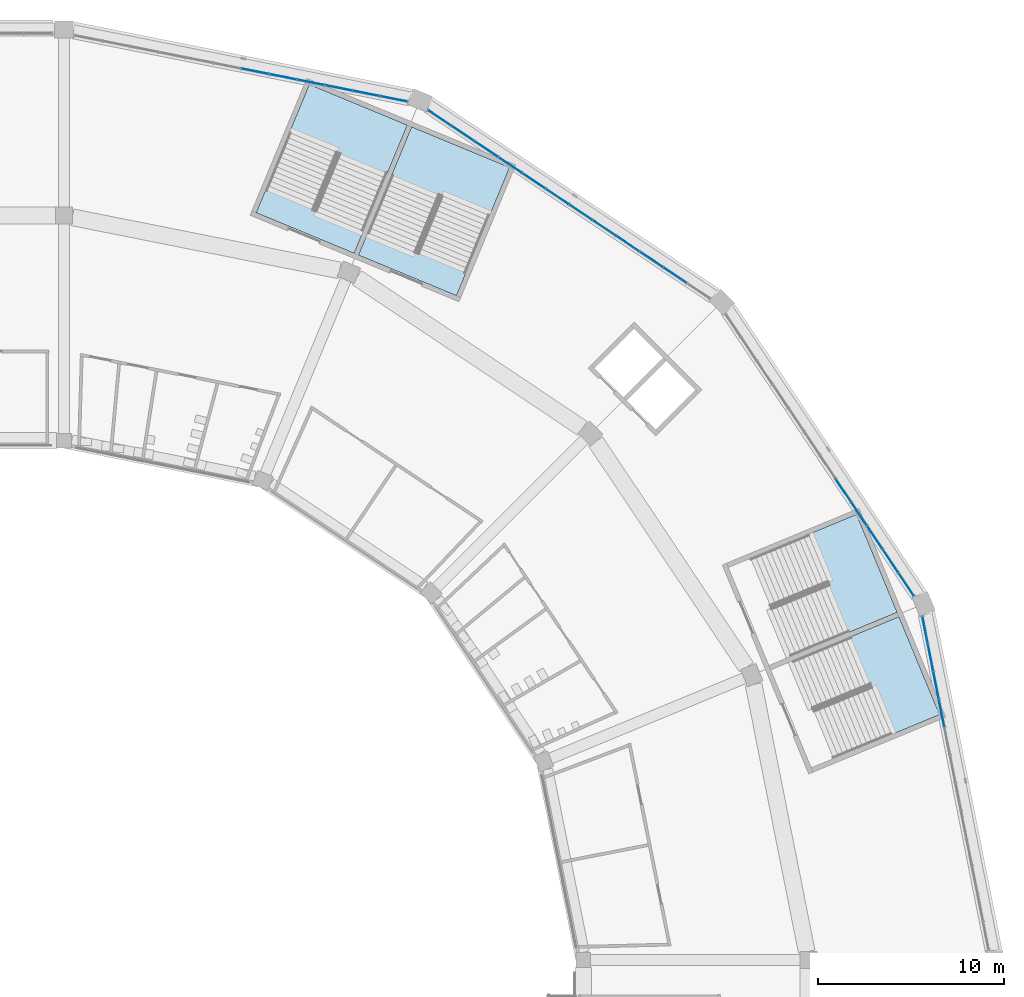
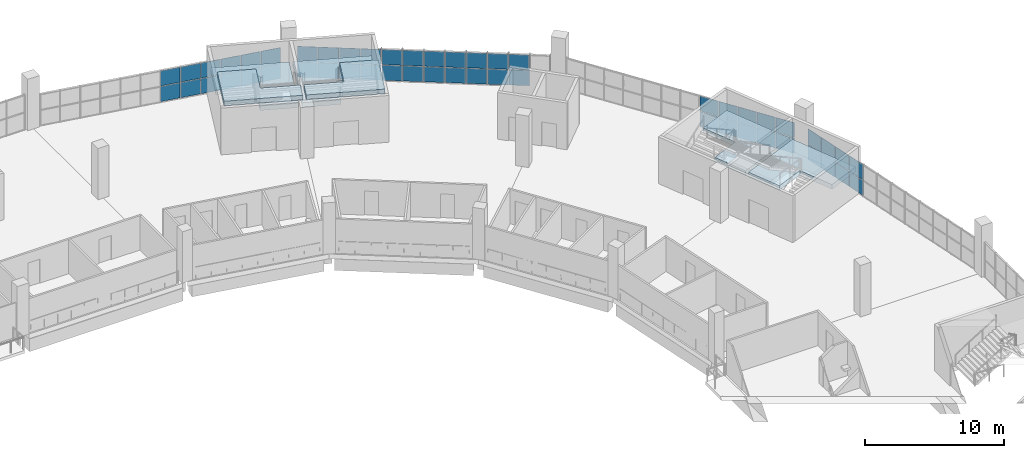
# One storey, part 72 of 199: 52 plates, 6 slabs, 8 elements without a shape of their own.
"""IFC4 building model written with IfcOpenShell, lengths in metres."""

import ifcopenshell
import ifcopenshell.guid

model = None  # the IFC model being written
_history = None  # IfcOwnerHistory: only IFC2X3 demands one
_inside = {}  # id of a spatial element -> (the spatial element, [elements in it])
_under = {}  # id of a project, library or spatial element -> (it, [spatial elements below it])
_declared = {}  # id of a project -> (the project, [libraries it declares])
_typed = {}  # id of a type object -> (the type object, [elements of that type])
_made_of = {}  # id of a material, layer set ... -> (it, [elements and type objects made of it])


def new_model(schema):
    """Start an empty IFC model of exactly this schema.

    Asked for "IFC4X3", IfcOpenShell would pick the latest addendum, in which some entities
    have other attributes; the version numbers below select the first issue.
    IFC2X3 requires an IfcOwnerHistory on every rooted entity: one is made here for all.
    """
    global model, _history
    if schema == "IFC4X3":
        model = ifcopenshell.file(schema_version=(4, 3, 0, 0))
    else:
        model = ifcopenshell.file(schema=schema)
    _inside.clear()
    _under.clear()
    _declared.clear()
    _typed.clear()
    _made_of.clear()
    _history = None
    if model.schema == "IFC2X3":
        org = make("IfcOrganization", Name="unknown")
        user = make(
            "IfcPersonAndOrganization",
            ThePerson=make("IfcPerson", FamilyName="unknown"),
            TheOrganization=org,
        )
        app = make(
            "IfcApplication",
            ApplicationDeveloper=org,
            Version="unknown",
            ApplicationFullName="unknown",
            ApplicationIdentifier="unknown",
        )
        _history = make(
            "IfcOwnerHistory",
            OwningUser=user,
            OwningApplication=app,
            ChangeAction="ADDED",
            CreationDate=0,
        )
    return model


def make(cls, **values):
    """One entity of the class cls with the attributes given. An attribute that is None is left unset."""
    return model.create_entity(
        cls, **{name: value for name, value in values.items() if value is not None}
    )


def rooted(cls, **values):
    """An entity with a GlobalId (a new one), such as an element, a storey or a relation."""
    return make(cls, GlobalId=ifcopenshell.guid.new(), OwnerHistory=_history, **values)


def si_unit(unit_type, name, prefix=None):
    """IfcSIUnit, for example si_unit("LENGTHUNIT", "METRE", prefix="MILLI")."""
    return make("IfcSIUnit", UnitType=unit_type, Prefix=prefix, Name=name)


def assignment(units):
    """IfcUnitAssignment: the units of a project."""
    return None if units is None else make("IfcUnitAssignment", Units=units)


def point(xyz):
    """IfcCartesianPoint."""
    return None if xyz is None else make("IfcCartesianPoint", Coordinates=xyz)


def direction(xyz):
    """IfcDirection."""
    return None if xyz is None else make("IfcDirection", DirectionRatios=xyz)


def frame(location, z_axis=None, x_axis=None):
    """IfcAxis2Placement3D, a coordinate frame: its origin and axes. An axis left out is left unset."""
    return make(
        "IfcAxis2Placement3D",
        Location=point(location),
        Axis=direction(z_axis),
        RefDirection=direction(x_axis),
    )


def frame_2d(location, x_axis=None):
    """IfcAxis2Placement2D, a coordinate frame in the plane: its origin and x axis."""
    return make(
        "IfcAxis2Placement2D", Location=point(location), RefDirection=direction(x_axis)
    )


def origin():
    """The frame at (0, 0, 0) with its axes left unset."""
    return frame((0.0, 0.0, 0.0))


def origin_2d():
    """The frame at (0, 0) in the plane with its x axis left unset."""
    return frame_2d((0.0, 0.0))


def place(relative_to, where):
    """IfcLocalPlacement: puts the frame where relative to a parent placement (None: the world)."""
    return make(
        "IfcLocalPlacement", PlacementRelTo=relative_to, RelativePlacement=where
    )


def context(
    kind, dimensions, precision=None, world=None, true_north=None, identifier=None
):
    """IfcGeometricRepresentationContext, for example the 3D "Model" context."""
    return make(
        "IfcGeometricRepresentationContext",
        ContextIdentifier=identifier,
        ContextType=kind,
        CoordinateSpaceDimension=dimensions,
        Precision=precision,
        WorldCoordinateSystem=world,
        TrueNorth=true_north,
    )


def subcontext(parent, identifier, kind, view, scale=None):
    """IfcGeometricRepresentationSubContext, for example "Body" below "Model"."""
    return make(
        "IfcGeometricRepresentationSubContext",
        ContextIdentifier=identifier,
        ContextType=kind,
        ParentContext=parent,
        TargetScale=scale,
        TargetView=view,
    )


def project(units=None, contexts=None):
    """IfcProject with its units and contexts."""
    return rooted(
        "IfcProject",
        Name="project",
        RepresentationContexts=contexts,
        UnitsInContext=assignment(units),
    )


def spatial(cls, under=None, at=None, **own):
    """A site, building, storey or space (cls), placed at a placement, below another one or the project."""
    s = rooted(cls, ObjectPlacement=at, **own)
    if under is not None:
        _under.setdefault(under.id(), (under, []))[1].append(s)
    return s


def polyline(points):
    """IfcPolyline through the points."""
    return make("IfcPolyline", Points=[point(p) for p in points])


def profile(cls, at=None, kind="AREA", **sizes):
    """A parametric profile (cls). Its sizes go by their IFC names, for example OverallWidth=200.0."""
    return make(cls, ProfileType=kind, Position=at, **sizes)


def rectangle(**sizes):
    """IfcRectangleProfileDef."""
    return profile("IfcRectangleProfileDef", **sizes)


def outline(outer, holes=None, kind="AREA"):
    """IfcArbitraryClosedProfileDef: a profile drawn as a closed curve; with holes, ...WithVoids."""
    if holes is None:
        return make("IfcArbitraryClosedProfileDef", ProfileType=kind, OuterCurve=outer)
    return make(
        "IfcArbitraryProfileDefWithVoids",
        ProfileType=kind,
        OuterCurve=outer,
        InnerCurves=holes,
    )


def extrude(swept, where, along, depth):
    """IfcExtrudedAreaSolid: the profile swept, set in the frame where, extruded along a direction by depth."""
    return make(
        "IfcExtrudedAreaSolid",
        SweptArea=swept,
        Position=where,
        ExtrudedDirection=direction(along),
        Depth=depth,
    )


def shape(context_of_items, identifier, shape_type, items):
    """IfcShapeRepresentation: the items that make up one representation, for example the "Body"."""
    return make(
        "IfcShapeRepresentation",
        ContextOfItems=context_of_items,
        RepresentationIdentifier=identifier,
        RepresentationType=shape_type,
        Items=items,
    )


def material(Name=None, Category=None):
    """IfcMaterial."""
    return make("IfcMaterial", Name=Name, Category=Category)


def layer(
    of_material, thickness, ventilated=None, Name=None, Category=None, Priority=None
):
    """IfcMaterialLayer: one layer of a wall or slab, of a material (None: an air gap)."""
    return make(
        "IfcMaterialLayer",
        Material=of_material,
        LayerThickness=thickness,
        IsVentilated=ventilated,
        Name=Name,
        Category=Category,
        Priority=Priority,
    )


def layer_set(layers, Name=None):
    """IfcMaterialLayerSet."""
    return make("IfcMaterialLayerSet", MaterialLayers=layers, LayerSetName=Name)


def made_of(thing, what):
    """Note that an element or type object is made of a material, layer set ...; save() writes the relation."""
    if what is not None:
        _made_of.setdefault(what.id(), (what, []))[1].append(thing)
    return thing


def type_object(cls, material=None, **own):
    """A type object (cls), such as IfcWallType, which elements share."""
    return made_of(rooted(cls, **own), material)


def element(
    cls,
    number,
    at=None,
    inside=None,
    cuts=None,
    type_object=None,
    material=None,
    context=None,
    identifier="Body",
    shape_type=None,
    held_by="IfcProductDefinitionShape",
    body=None,
    shapes=None,
    **own,
):
    """One element of the class cls, such as IfcWall. Its Tag is "e" and its number.

    at: its placement. inside: the storey or other place that contains it. cuts: it is an
    opening in that element (IfcRelVoidsElement). A single representation is given by context,
    identifier, shape_type and body (its items); several are given by shapes. held_by: the class
    of the entity that holds the representations. save() writes the other relations.
    """
    e = rooted(cls, Tag="e%d" % number, ObjectPlacement=at, **own)
    if body is not None:
        shapes = [shape(context, identifier, shape_type, body)]
    if shapes is not None:
        e.Representation = make(held_by, Representations=shapes)
    if inside is not None:
        _inside.setdefault(inside.id(), (inside, []))[1].append(e)
    if cuts is not None:
        rooted(
            "IfcRelVoidsElement", RelatingBuildingElement=cuts, RelatedOpeningElement=e
        )
    if type_object is not None:
        _typed.setdefault(type_object.id(), (type_object, []))[1].append(e)
    return made_of(e, material)


def aggregate(whole, parts):
    """IfcRelAggregates: a whole, such as a stair, and the parts it consists of."""
    return rooted("IfcRelAggregates", RelatingObject=whole, RelatedObjects=parts)


def save(model, path):
    """Write the relations noted so far, then the file.

    IfcRelAggregates (storeys below a building ...), IfcRelContainedInSpatialStructure (elements
    in a storey), IfcRelDefinesByType, IfcRelAssociatesMaterial and IfcRelDeclares: one each for
    every whole, place, type object, material and project.
    """
    for whole, parts in _under.values():
        aggregate(whole, parts)
    for where, things in _inside.values():
        rooted(
            "IfcRelContainedInSpatialStructure",
            RelatedElements=things,
            RelatingStructure=where,
        )
    for kind, things in _typed.values():
        rooted("IfcRelDefinesByType", RelatedObjects=things, RelatingType=kind)
    for what, things in _made_of.values():
        rooted("IfcRelAssociatesMaterial", RelatedObjects=things, RelatingMaterial=what)
    for by, libraries in _declared.values():
        rooted("IfcRelDeclares", RelatingContext=by, RelatedDefinitions=libraries)
    model.write(path)


model = new_model("IFC4")

# Units and contexts
model_context = context("Model", 3, precision=1e-05, world=origin(), true_north=direction((0.0, 1.0)))
body_context = subcontext(model_context, "Body", "Model", "MODEL_VIEW")
ifc_project = project(units=[si_unit("LENGTHUNIT", "METRE"), si_unit("AREAUNIT", "SQUARE_METRE"), si_unit("VOLUMEUNIT", "CUBIC_METRE"), si_unit("PLANEANGLEUNIT", "RADIAN"), si_unit("MASSUNIT", "GRAM", prefix="KILO")], contexts=[model_context])

# Site, building, storey
site_placement = place(None, origin())
site = spatial("IfcSite", under=ifc_project, at=site_placement, CompositionType="ELEMENT")
building_placement = place(site_placement, origin())
building = spatial("IfcBuilding", under=site, at=building_placement, Name="Ogive Plaza Stadium", CompositionType="ELEMENT")
storey_placement = place(building_placement, frame((0.0, 0.0, 9.0)))
storey = spatial("IfcBuildingStorey", under=building, at=storey_placement, Name="L02", CompositionType="ELEMENT", Elevation=9.0)

# Curtain wall, plates
ifc_material_1 = material(Name="Bronze-anodised aluminium with laminated glass", Category="aluminium")
curtain_wall_type = type_object("IfcCurtainWallType", Name="Lancet curtain wall", PredefinedType="NOTDEFINED", material=ifc_material_1)
curtain_wall_1_placement = place(storey_placement, origin())
curtain_wall_1 = element("IfcCurtainWall", 1, at=curtain_wall_1_placement, inside=storey, type_object=curtain_wall_type, Name="CURTAIN WALL B37 L02", PredefinedType="NOTDEFINED")
ifc_material_2 = material(Name="Laminated glass", Category="glass")
ifc_layer_1 = layer(ifc_material_2, 0.028076171875)
ifc_layer_set_1 = layer_set([ifc_layer_1], Name="Laminated glass panel 28")
plate_type = type_object("IfcPlateType", Name="Laminated glass panel 28", PredefinedType="CURTAIN_PANEL", material=ifc_layer_set_1)
plate_1_placement = place(storey_placement, frame((44.274658203125, 100.25244140625, 0.0498046875), z_axis=(0.0, 0.0, 1.0), x_axis=(0.9807852804, -0.195090322033, 0.0)))
plate_1 = element("IfcPlate", 2, at=plate_1_placement, type_object=plate_type, Name="CW-B37-L02 panel 7.1", PredefinedType="CURTAIN_PANEL", context=body_context, shape_type="SweptSolid", body=[
    extrude(rectangle(XDim=1.472412109375, YDim=0.028076171875, at=origin_2d()), origin(), (0.0, 0.0, 1.0), 1.320068359375),
])
plate_2_placement = place(storey_placement, frame((44.274658203125, 100.25244140625, 1.419921875), z_axis=(0.0, 0.0, 1.0), x_axis=(0.9807852804, -0.195090322033, 0.0)))
plate_2 = element("IfcPlate", 3, at=plate_2_placement, type_object=plate_type, Name="CW-B37-L02 panel 7.2", PredefinedType="CURTAIN_PANEL", context=body_context, shape_type="SweptSolid", body=[
    extrude(rectangle(XDim=1.472412109375, YDim=0.028076171875, at=origin_2d()), origin(), (0.0, 0.0, 1.0), 1.320068359375),
])
plate_3_placement = place(storey_placement, frame((45.767822265625, 99.955322265625, 0.0498046875), z_axis=(0.0, 0.0, 1.0), x_axis=(0.9807852804, -0.195090322033, 0.0)))
plate_3 = element("IfcPlate", 4, at=plate_3_placement, type_object=plate_type, Name="CW-B37-L02 panel 8.1", PredefinedType="CURTAIN_PANEL", context=body_context, shape_type="SweptSolid", body=[
    extrude(rectangle(XDim=1.472412109375, YDim=0.028076171875, at=origin_2d()), origin(), (0.0, 0.0, 1.0), 1.320068359375),
])
plate_4_placement = place(storey_placement, frame((45.767822265625, 99.955322265625, 1.419921875), z_axis=(0.0, 0.0, 1.0), x_axis=(0.9807852804, -0.195090322033, 0.0)))
plate_4 = element("IfcPlate", 5, at=plate_4_placement, type_object=plate_type, Name="CW-B37-L02 panel 8.2", PredefinedType="CURTAIN_PANEL", context=body_context, shape_type="SweptSolid", body=[
    extrude(rectangle(XDim=1.472412109375, YDim=0.028076171875, at=origin_2d()), origin(), (0.0, 0.0, 1.0), 1.320068359375),
])
plate_5_placement = place(storey_placement, frame((47.2607421875, 99.658447265625, 0.0498046875), z_axis=(0.0, 0.0, 1.0), x_axis=(0.9807852804, -0.195090322033, 0.0)))
plate_5 = element("IfcPlate", 6, at=plate_5_placement, type_object=plate_type, Name="CW-B37-L02 panel 9.1", PredefinedType="CURTAIN_PANEL", context=body_context, shape_type="SweptSolid", body=[
    extrude(rectangle(XDim=1.472412109375, YDim=0.028076171875, at=origin_2d()), origin(), (0.0, 0.0, 1.0), 1.320068359375),
])
plate_6_placement = place(storey_placement, frame((47.2607421875, 99.658447265625, 1.419921875), z_axis=(0.0, 0.0, 1.0), x_axis=(0.9807852804, -0.195090322033, 0.0)))
plate_6 = element("IfcPlate", 7, at=plate_6_placement, type_object=plate_type, Name="CW-B37-L02 panel 9.2", PredefinedType="CURTAIN_PANEL", context=body_context, shape_type="SweptSolid", body=[
    extrude(rectangle(XDim=1.472412109375, YDim=0.028076171875, at=origin_2d()), origin(), (0.0, 0.0, 1.0), 1.320068359375),
])
plate_7_placement = place(storey_placement, frame((48.75390625, 99.361328125, 0.0498046875), z_axis=(0.0, 0.0, 1.0), x_axis=(0.9807852804, -0.195090322033, 0.0)))
plate_7 = element("IfcPlate", 8, at=plate_7_placement, type_object=plate_type, Name="CW-B37-L02 panel 10.1", PredefinedType="CURTAIN_PANEL", context=body_context, shape_type="SweptSolid", body=[
    extrude(rectangle(XDim=1.472412109375, YDim=0.028076171875, at=origin_2d()), origin(), (0.0, 0.0, 1.0), 1.320068359375),
])
plate_8_placement = place(storey_placement, frame((48.75390625, 99.361328125, 1.419921875), z_axis=(0.0, 0.0, 1.0), x_axis=(0.9807852804, -0.195090322033, 0.0)))
plate_8 = element("IfcPlate", 9, at=plate_8_placement, type_object=plate_type, Name="CW-B37-L02 panel 10.2", PredefinedType="CURTAIN_PANEL", context=body_context, shape_type="SweptSolid", body=[
    extrude(rectangle(XDim=1.472412109375, YDim=0.028076171875, at=origin_2d()), origin(), (0.0, 0.0, 1.0), 1.320068359375),
])
plate_9_placement = place(storey_placement, frame((50.2470703125, 99.064453125, 0.0498046875), z_axis=(0.0, 0.0, 1.0), x_axis=(0.9807852804, -0.195090322033, 0.0)))
plate_9 = element("IfcPlate", 10, at=plate_9_placement, type_object=plate_type, Name="CW-B37-L02 panel 11.1", PredefinedType="CURTAIN_PANEL", context=body_context, shape_type="SweptSolid", body=[
    extrude(rectangle(XDim=1.472412109375, YDim=0.028076171875, at=origin_2d()), origin(), (0.0, 0.0, 1.0), 1.320068359375),
])
plate_10_placement = place(storey_placement, frame((50.2470703125, 99.064453125, 1.419921875), z_axis=(0.0, 0.0, 1.0), x_axis=(0.9807852804, -0.195090322033, 0.0)))
plate_10 = element("IfcPlate", 11, at=plate_10_placement, type_object=plate_type, Name="CW-B37-L02 panel 11.2", PredefinedType="CURTAIN_PANEL", context=body_context, shape_type="SweptSolid", body=[
    extrude(rectangle(XDim=1.472412109375, YDim=0.028076171875, at=origin_2d()), origin(), (0.0, 0.0, 1.0), 1.320068359375),
])
plate_11_placement = place(storey_placement, frame((51.727783203125, 98.769775390625, 0.0498046875), z_axis=(0.0, 0.0, 1.0), x_axis=(0.9807852804, -0.195090322033, 0.0)))
plate_11 = element("IfcPlate", 12, at=plate_11_placement, type_object=plate_type, Name="CW-B37-L02 panel 12.1", PredefinedType="CURTAIN_PANEL", context=body_context, shape_type="SweptSolid", body=[
    extrude(rectangle(XDim=1.447265625, YDim=0.028076171875, at=origin_2d()), origin(), (0.0, 0.0, 1.0), 1.320068359375),
])
plate_12_placement = place(storey_placement, frame((51.727783203125, 98.769775390625, 1.419921875), z_axis=(0.0, 0.0, 1.0), x_axis=(0.9807852804, -0.195090322033, 0.0)))
plate_12 = element("IfcPlate", 13, at=plate_12_placement, type_object=plate_type, Name="CW-B37-L02 panel 12.2", PredefinedType="CURTAIN_PANEL", context=body_context, shape_type="SweptSolid", body=[
    extrude(rectangle(XDim=1.447265625, YDim=0.028076171875, at=origin_2d()), origin(), (0.0, 0.0, 1.0), 1.320068359375),
])
aggregate(curtain_wall_1, [plate_1, plate_2, plate_3, plate_4, plate_5, plate_6, plate_7, plate_8, plate_9, plate_10, plate_11, plate_12])

curtain_wall_2_placement = place(storey_placement, origin())
curtain_wall_2 = element("IfcCurtainWall", 14, at=curtain_wall_2_placement, inside=storey, type_object=curtain_wall_type, Name="CURTAIN WALL B38 L02", PredefinedType="NOTDEFINED")
plate_13_placement = place(storey_placement, frame((54.18212890625, 97.753173828125, 0.0498046875), z_axis=(0.0, 0.0, 1.0), x_axis=(0.831469612303, -0.55557023302, 0.0)))
plate_13 = element("IfcPlate", 15, at=plate_13_placement, type_object=plate_type, Name="CW-B38-L02 panel 1.1", PredefinedType="CURTAIN_PANEL", context=body_context, shape_type="SweptSolid", body=[
    extrude(rectangle(XDim=1.447265625, YDim=0.028076171875, at=origin_2d()), origin(), (0.0, 0.0, 1.0), 1.320068359375),
])
plate_14_placement = place(storey_placement, frame((54.18212890625, 97.753173828125, 1.419921875), z_axis=(0.0, 0.0, 1.0), x_axis=(0.831469612303, -0.55557023302, 0.0)))
plate_14 = element("IfcPlate", 16, at=plate_14_placement, type_object=plate_type, Name="CW-B38-L02 panel 1.2", PredefinedType="CURTAIN_PANEL", context=body_context, shape_type="SweptSolid", body=[
    extrude(rectangle(XDim=1.447265625, YDim=0.028076171875, at=origin_2d()), origin(), (0.0, 0.0, 1.0), 1.320068359375),
])
plate_15_placement = place(storey_placement, frame((55.4375, 96.914306640625, 0.0498046875), z_axis=(0.0, 0.0, 1.0), x_axis=(0.831469612303, -0.55557023302, 0.0)))
plate_15 = element("IfcPlate", 17, at=plate_15_placement, type_object=plate_type, Name="CW-B38-L02 panel 2.1", PredefinedType="CURTAIN_PANEL", context=body_context, shape_type="SweptSolid", body=[
    extrude(rectangle(XDim=1.472412109375, YDim=0.028076171875, at=origin_2d()), origin(), (0.0, 0.0, 1.0), 1.320068359375),
])
plate_16_placement = place(storey_placement, frame((55.4375, 96.914306640625, 1.419921875), z_axis=(0.0, 0.0, 1.0), x_axis=(0.831469612303, -0.55557023302, 0.0)))
plate_16 = element("IfcPlate", 18, at=plate_16_placement, type_object=plate_type, Name="CW-B38-L02 panel 2.2", PredefinedType="CURTAIN_PANEL", context=body_context, shape_type="SweptSolid", body=[
    extrude(rectangle(XDim=1.472412109375, YDim=0.028076171875, at=origin_2d()), origin(), (0.0, 0.0, 1.0), 1.320068359375),
])
plate_17_placement = place(storey_placement, frame((56.703369140625, 96.068603515625, 0.0498046875), z_axis=(0.0, 0.0, 1.0), x_axis=(0.831469612303, -0.55557023302, 0.0)))
plate_17 = element("IfcPlate", 19, at=plate_17_placement, type_object=plate_type, Name="CW-B38-L02 panel 3.1", PredefinedType="CURTAIN_PANEL", context=body_context, shape_type="SweptSolid", body=[
    extrude(rectangle(XDim=1.472412109375, YDim=0.028076171875, at=origin_2d()), origin(), (0.0, 0.0, 1.0), 1.320068359375),
])
plate_18_placement = place(storey_placement, frame((56.703369140625, 96.068603515625, 1.419921875), z_axis=(0.0, 0.0, 1.0), x_axis=(0.831469612303, -0.55557023302, 0.0)))
plate_18 = element("IfcPlate", 20, at=plate_18_placement, type_object=plate_type, Name="CW-B38-L02 panel 3.2", PredefinedType="CURTAIN_PANEL", context=body_context, shape_type="SweptSolid", body=[
    extrude(rectangle(XDim=1.472412109375, YDim=0.028076171875, at=origin_2d()), origin(), (0.0, 0.0, 1.0), 1.320068359375),
])
plate_19_placement = place(storey_placement, frame((57.96923828125, 95.222900390625, 0.0498046875), z_axis=(0.0, 0.0, 1.0), x_axis=(0.831469612303, -0.55557023302, 0.0)))
plate_19 = element("IfcPlate", 21, at=plate_19_placement, type_object=plate_type, Name="CW-B38-L02 panel 4.1", PredefinedType="CURTAIN_PANEL", context=body_context, shape_type="SweptSolid", body=[
    extrude(rectangle(XDim=1.472412109375, YDim=0.028076171875, at=origin_2d()), origin(), (0.0, 0.0, 1.0), 1.320068359375),
])
plate_20_placement = place(storey_placement, frame((57.96923828125, 95.222900390625, 1.419921875), z_axis=(0.0, 0.0, 1.0), x_axis=(0.831469612303, -0.55557023302, 0.0)))
plate_20 = element("IfcPlate", 22, at=plate_20_placement, type_object=plate_type, Name="CW-B38-L02 panel 4.2", PredefinedType="CURTAIN_PANEL", context=body_context, shape_type="SweptSolid", body=[
    extrude(rectangle(XDim=1.472412109375, YDim=0.028076171875, at=origin_2d()), origin(), (0.0, 0.0, 1.0), 1.320068359375),
])
plate_21_placement = place(storey_placement, frame((59.23486328125, 94.376953125, 0.0498046875), z_axis=(0.0, 0.0, 1.0), x_axis=(0.831469612303, -0.55557023302, 0.0)))
plate_21 = element("IfcPlate", 23, at=plate_21_placement, type_object=plate_type, Name="CW-B38-L02 panel 5.1", PredefinedType="CURTAIN_PANEL", context=body_context, shape_type="SweptSolid", body=[
    extrude(rectangle(XDim=1.472412109375, YDim=0.028076171875, at=origin_2d()), origin(), (0.0, 0.0, 1.0), 1.320068359375),
])
plate_22_placement = place(storey_placement, frame((59.23486328125, 94.376953125, 1.419921875), z_axis=(0.0, 0.0, 1.0), x_axis=(0.831469612303, -0.55557023302, 0.0)))
plate_22 = element("IfcPlate", 24, at=plate_22_placement, type_object=plate_type, Name="CW-B38-L02 panel 5.2", PredefinedType="CURTAIN_PANEL", context=body_context, shape_type="SweptSolid", body=[
    extrude(rectangle(XDim=1.472412109375, YDim=0.028076171875, at=origin_2d()), origin(), (0.0, 0.0, 1.0), 1.320068359375),
])
plate_23_placement = place(storey_placement, frame((60.500732421875, 93.53125, 0.0498046875), z_axis=(0.0, 0.0, 1.0), x_axis=(0.831469612303, -0.55557023302, 0.0)))
plate_23 = element("IfcPlate", 25, at=plate_23_placement, type_object=plate_type, Name="CW-B38-L02 panel 6.1", PredefinedType="CURTAIN_PANEL", context=body_context, shape_type="SweptSolid", body=[
    extrude(rectangle(XDim=1.472412109375, YDim=0.028076171875, at=origin_2d()), origin(), (0.0, 0.0, 1.0), 1.320068359375),
])
plate_24_placement = place(storey_placement, frame((60.500732421875, 93.53125, 1.419921875), z_axis=(0.0, 0.0, 1.0), x_axis=(0.831469612303, -0.55557023302, 0.0)))
plate_24 = element("IfcPlate", 26, at=plate_24_placement, type_object=plate_type, Name="CW-B38-L02 panel 6.2", PredefinedType="CURTAIN_PANEL", context=body_context, shape_type="SweptSolid", body=[
    extrude(rectangle(XDim=1.472412109375, YDim=0.028076171875, at=origin_2d()), origin(), (0.0, 0.0, 1.0), 1.320068359375),
])
plate_25_placement = place(storey_placement, frame((61.7666015625, 92.685546875, 0.0498046875), z_axis=(0.0, 0.0, 1.0), x_axis=(0.831469612303, -0.55557023302, 0.0)))
plate_25 = element("IfcPlate", 27, at=plate_25_placement, type_object=plate_type, Name="CW-B38-L02 panel 7.1", PredefinedType="CURTAIN_PANEL", context=body_context, shape_type="SweptSolid", body=[
    extrude(rectangle(XDim=1.472412109375, YDim=0.028076171875, at=origin_2d()), origin(), (0.0, 0.0, 1.0), 1.320068359375),
])
plate_26_placement = place(storey_placement, frame((61.7666015625, 92.685546875, 1.419921875), z_axis=(0.0, 0.0, 1.0), x_axis=(0.831469612303, -0.55557023302, 0.0)))
plate_26 = element("IfcPlate", 28, at=plate_26_placement, type_object=plate_type, Name="CW-B38-L02 panel 7.2", PredefinedType="CURTAIN_PANEL", context=body_context, shape_type="SweptSolid", body=[
    extrude(rectangle(XDim=1.472412109375, YDim=0.028076171875, at=origin_2d()), origin(), (0.0, 0.0, 1.0), 1.320068359375),
])
plate_27_placement = place(storey_placement, frame((63.0322265625, 91.839599609375, 0.0498046875), z_axis=(0.0, 0.0, 1.0), x_axis=(0.831469612303, -0.55557023302, 0.0)))
plate_27 = element("IfcPlate", 29, at=plate_27_placement, type_object=plate_type, Name="CW-B38-L02 panel 8.1", PredefinedType="CURTAIN_PANEL", context=body_context, shape_type="SweptSolid", body=[
    extrude(rectangle(XDim=1.472412109375, YDim=0.028076171875, at=origin_2d()), origin(), (0.0, 0.0, 1.0), 1.320068359375),
])
plate_28_placement = place(storey_placement, frame((63.0322265625, 91.839599609375, 1.419921875), z_axis=(0.0, 0.0, 1.0), x_axis=(0.831469612303, -0.55557023302, 0.0)))
plate_28 = element("IfcPlate", 30, at=plate_28_placement, type_object=plate_type, Name="CW-B38-L02 panel 8.2", PredefinedType="CURTAIN_PANEL", context=body_context, shape_type="SweptSolid", body=[
    extrude(rectangle(XDim=1.472412109375, YDim=0.028076171875, at=origin_2d()), origin(), (0.0, 0.0, 1.0), 1.320068359375),
])
plate_29_placement = place(storey_placement, frame((64.298095703125, 90.993896484375, 0.0498046875), z_axis=(0.0, 0.0, 1.0), x_axis=(0.831469612303, -0.55557023302, 0.0)))
plate_29 = element("IfcPlate", 31, at=plate_29_placement, type_object=plate_type, Name="CW-B38-L02 panel 9.1", PredefinedType="CURTAIN_PANEL", context=body_context, shape_type="SweptSolid", body=[
    extrude(rectangle(XDim=1.472412109375, YDim=0.028076171875, at=origin_2d()), origin(), (0.0, 0.0, 1.0), 1.320068359375),
])
plate_30_placement = place(storey_placement, frame((64.298095703125, 90.993896484375, 1.419921875), z_axis=(0.0, 0.0, 1.0), x_axis=(0.831469612303, -0.55557023302, 0.0)))
plate_30 = element("IfcPlate", 32, at=plate_30_placement, type_object=plate_type, Name="CW-B38-L02 panel 9.2", PredefinedType="CURTAIN_PANEL", context=body_context, shape_type="SweptSolid", body=[
    extrude(rectangle(XDim=1.472412109375, YDim=0.028076171875, at=origin_2d()), origin(), (0.0, 0.0, 1.0), 1.320068359375),
])
plate_31_placement = place(storey_placement, frame((65.56396484375, 90.148193359375, 0.0498046875), z_axis=(0.0, 0.0, 1.0), x_axis=(0.831469612303, -0.55557023302, 0.0)))
plate_31 = element("IfcPlate", 33, at=plate_31_placement, type_object=plate_type, Name="CW-B38-L02 panel 10.1", PredefinedType="CURTAIN_PANEL", context=body_context, shape_type="SweptSolid", body=[
    extrude(rectangle(XDim=1.472412109375, YDim=0.028076171875, at=origin_2d()), origin(), (0.0, 0.0, 1.0), 1.320068359375),
])
plate_32_placement = place(storey_placement, frame((65.56396484375, 90.148193359375, 1.419921875), z_axis=(0.0, 0.0, 1.0), x_axis=(0.831469612303, -0.55557023302, 0.0)))
plate_32 = element("IfcPlate", 34, at=plate_32_placement, type_object=plate_type, Name="CW-B38-L02 panel 10.2", PredefinedType="CURTAIN_PANEL", context=body_context, shape_type="SweptSolid", body=[
    extrude(rectangle(XDim=1.472412109375, YDim=0.028076171875, at=origin_2d()), origin(), (0.0, 0.0, 1.0), 1.320068359375),
])
plate_33_placement = place(storey_placement, frame((66.82958984375, 89.302490234375, 0.0498046875), z_axis=(0.0, 0.0, 1.0), x_axis=(0.831469612303, -0.55557023302, 0.0)))
plate_33 = element("IfcPlate", 35, at=plate_33_placement, type_object=plate_type, Name="CW-B38-L02 panel 11.1", PredefinedType="CURTAIN_PANEL", context=body_context, shape_type="SweptSolid", body=[
    extrude(rectangle(XDim=1.472412109375, YDim=0.028076171875, at=origin_2d()), origin(), (0.0, 0.0, 1.0), 1.320068359375),
])
plate_34_placement = place(storey_placement, frame((66.82958984375, 89.302490234375, 1.419921875), z_axis=(0.0, 0.0, 1.0), x_axis=(0.831469612303, -0.55557023302, 0.0)))
plate_34 = element("IfcPlate", 36, at=plate_34_placement, type_object=plate_type, Name="CW-B38-L02 panel 11.2", PredefinedType="CURTAIN_PANEL", context=body_context, shape_type="SweptSolid", body=[
    extrude(rectangle(XDim=1.472412109375, YDim=0.028076171875, at=origin_2d()), origin(), (0.0, 0.0, 1.0), 1.320068359375),
])
aggregate(curtain_wall_2, [plate_13, plate_14, plate_15, plate_16, plate_17, plate_18, plate_19, plate_20, plate_21, plate_22, plate_23, plate_24, plate_25, plate_26, plate_27, plate_28, plate_29, plate_30, plate_31, plate_32, plate_33, plate_34])

curtain_wall_3_placement = place(storey_placement, origin())
curtain_wall_3 = element("IfcCurtainWall", 37, at=curtain_wall_3_placement, inside=storey, type_object=curtain_wall_type, Name="CURTAIN WALL B39 L02", PredefinedType="NOTDEFINED")
plate_35_placement = place(storey_placement, frame((75.876953125, 77.73486328125, 0.0498046875), z_axis=(0.0, 0.0, 1.0), x_axis=(0.55557023302, -0.831469612303, 0.0)))
plate_35 = element("IfcPlate", 38, at=plate_35_placement, type_object=plate_type, Name="CW-B39-L02 panel 8.1", PredefinedType="CURTAIN_PANEL", context=body_context, shape_type="SweptSolid", body=[
    extrude(rectangle(XDim=1.472412109375, YDim=0.028076171875, at=origin_2d()), origin(), (0.0, 0.0, 1.0), 1.320068359375),
])
plate_36_placement = place(storey_placement, frame((75.876953125, 77.73486328125, 1.419921875), z_axis=(0.0, 0.0, 1.0), x_axis=(0.55557023302, -0.831469612303, 0.0)))
plate_36 = element("IfcPlate", 39, at=plate_36_placement, type_object=plate_type, Name="CW-B39-L02 panel 8.2", PredefinedType="CURTAIN_PANEL", context=body_context, shape_type="SweptSolid", body=[
    extrude(rectangle(XDim=1.472412109375, YDim=0.028076171875, at=origin_2d()), origin(), (0.0, 0.0, 1.0), 1.320068359375),
])
plate_37_placement = place(storey_placement, frame((76.722900390625, 76.46923828125, 0.0498046875), z_axis=(0.0, 0.0, 1.0), x_axis=(0.55557023302, -0.831469612303, 0.0)))
plate_37 = element("IfcPlate", 40, at=plate_37_placement, type_object=plate_type, Name="CW-B39-L02 panel 9.1", PredefinedType="CURTAIN_PANEL", context=body_context, shape_type="SweptSolid", body=[
    extrude(rectangle(XDim=1.472412109375, YDim=0.028076171875, at=origin_2d()), origin(), (0.0, 0.0, 1.0), 1.320068359375),
])
plate_38_placement = place(storey_placement, frame((76.722900390625, 76.46923828125, 1.419921875), z_axis=(0.0, 0.0, 1.0), x_axis=(0.55557023302, -0.831469612303, 0.0)))
plate_38 = element("IfcPlate", 41, at=plate_38_placement, type_object=plate_type, Name="CW-B39-L02 panel 9.2", PredefinedType="CURTAIN_PANEL", context=body_context, shape_type="SweptSolid", body=[
    extrude(rectangle(XDim=1.472412109375, YDim=0.028076171875, at=origin_2d()), origin(), (0.0, 0.0, 1.0), 1.320068359375),
])
plate_39_placement = place(storey_placement, frame((77.568603515625, 75.203369140625, 0.0498046875), z_axis=(0.0, 0.0, 1.0), x_axis=(0.55557023302, -0.831469612303, 0.0)))
plate_39 = element("IfcPlate", 42, at=plate_39_placement, type_object=plate_type, Name="CW-B39-L02 panel 10.1", PredefinedType="CURTAIN_PANEL", context=body_context, shape_type="SweptSolid", body=[
    extrude(rectangle(XDim=1.472412109375, YDim=0.028076171875, at=origin_2d()), origin(), (0.0, 0.0, 1.0), 1.320068359375),
])
plate_40_placement = place(storey_placement, frame((77.568603515625, 75.203369140625, 1.419921875), z_axis=(0.0, 0.0, 1.0), x_axis=(0.55557023302, -0.831469612303, 0.0)))
plate_40 = element("IfcPlate", 43, at=plate_40_placement, type_object=plate_type, Name="CW-B39-L02 panel 10.2", PredefinedType="CURTAIN_PANEL", context=body_context, shape_type="SweptSolid", body=[
    extrude(rectangle(XDim=1.472412109375, YDim=0.028076171875, at=origin_2d()), origin(), (0.0, 0.0, 1.0), 1.320068359375),
])
plate_41_placement = place(storey_placement, frame((78.414306640625, 73.9375, 0.0498046875), z_axis=(0.0, 0.0, 1.0), x_axis=(0.55557023302, -0.831469612303, 0.0)))
plate_41 = element("IfcPlate", 44, at=plate_41_placement, type_object=plate_type, Name="CW-B39-L02 panel 11.1", PredefinedType="CURTAIN_PANEL", context=body_context, shape_type="SweptSolid", body=[
    extrude(rectangle(XDim=1.472412109375, YDim=0.028076171875, at=origin_2d()), origin(), (0.0, 0.0, 1.0), 1.320068359375),
])
plate_42_placement = place(storey_placement, frame((78.414306640625, 73.9375, 1.419921875), z_axis=(0.0, 0.0, 1.0), x_axis=(0.55557023302, -0.831469612303, 0.0)))
plate_42 = element("IfcPlate", 45, at=plate_42_placement, type_object=plate_type, Name="CW-B39-L02 panel 11.2", PredefinedType="CURTAIN_PANEL", context=body_context, shape_type="SweptSolid", body=[
    extrude(rectangle(XDim=1.472412109375, YDim=0.028076171875, at=origin_2d()), origin(), (0.0, 0.0, 1.0), 1.320068359375),
])
plate_43_placement = place(storey_placement, frame((79.253173828125, 72.68212890625, 0.0498046875), z_axis=(0.0, 0.0, 1.0), x_axis=(0.55557023302, -0.831469612303, 0.0)))
plate_43 = element("IfcPlate", 46, at=plate_43_placement, type_object=plate_type, Name="CW-B39-L02 panel 12.1", PredefinedType="CURTAIN_PANEL", context=body_context, shape_type="SweptSolid", body=[
    extrude(rectangle(XDim=1.447265625, YDim=0.028076171875, at=origin_2d()), origin(), (0.0, 0.0, 1.0), 1.320068359375),
])
plate_44_placement = place(storey_placement, frame((79.253173828125, 72.68212890625, 1.419921875), z_axis=(0.0, 0.0, 1.0), x_axis=(0.55557023302, -0.831469612303, 0.0)))
plate_44 = element("IfcPlate", 47, at=plate_44_placement, type_object=plate_type, Name="CW-B39-L02 panel 12.2", PredefinedType="CURTAIN_PANEL", context=body_context, shape_type="SweptSolid", body=[
    extrude(rectangle(XDim=1.447265625, YDim=0.028076171875, at=origin_2d()), origin(), (0.0, 0.0, 1.0), 1.320068359375),
])
aggregate(curtain_wall_3, [plate_35, plate_36, plate_37, plate_38, plate_39, plate_40, plate_41, plate_42, plate_43, plate_44])

curtain_wall_4_placement = place(storey_placement, origin())
curtain_wall_4 = element("IfcCurtainWall", 48, at=curtain_wall_4_placement, inside=storey, type_object=curtain_wall_type, Name="CURTAIN WALL B40 L02", PredefinedType="NOTDEFINED")
plate_45_placement = place(storey_placement, frame((80.269775390625, 70.227783203125, 0.0498046875), z_axis=(0.0, 0.0, 1.0), x_axis=(0.195090322033, -0.9807852804, 0.0)))
plate_45 = element("IfcPlate", 49, at=plate_45_placement, type_object=plate_type, Name="CW-B40-L02 panel 1.1", PredefinedType="CURTAIN_PANEL", context=body_context, shape_type="SweptSolid", body=[
    extrude(rectangle(XDim=1.447265625, YDim=0.028076171875, at=origin_2d()), origin(), (0.0, 0.0, 1.0), 1.320068359375),
])
plate_46_placement = place(storey_placement, frame((80.269775390625, 70.227783203125, 1.419921875), z_axis=(0.0, 0.0, 1.0), x_axis=(0.195090322033, -0.9807852804, 0.0)))
plate_46 = element("IfcPlate", 50, at=plate_46_placement, type_object=plate_type, Name="CW-B40-L02 panel 1.2", PredefinedType="CURTAIN_PANEL", context=body_context, shape_type="SweptSolid", body=[
    extrude(rectangle(XDim=1.447265625, YDim=0.028076171875, at=origin_2d()), origin(), (0.0, 0.0, 1.0), 1.320068359375),
])
plate_47_placement = place(storey_placement, frame((80.564453125, 68.7470703125, 0.0498046875), z_axis=(0.0, 0.0, 1.0), x_axis=(0.195090322033, -0.9807852804, 0.0)))
plate_47 = element("IfcPlate", 51, at=plate_47_placement, type_object=plate_type, Name="CW-B40-L02 panel 2.1", PredefinedType="CURTAIN_PANEL", context=body_context, shape_type="SweptSolid", body=[
    extrude(rectangle(XDim=1.472412109375, YDim=0.028076171875, at=origin_2d()), origin(), (0.0, 0.0, 1.0), 1.320068359375),
])
plate_48_placement = place(storey_placement, frame((80.564453125, 68.7470703125, 1.419921875), z_axis=(0.0, 0.0, 1.0), x_axis=(0.195090322033, -0.9807852804, 0.0)))
plate_48 = element("IfcPlate", 52, at=plate_48_placement, type_object=plate_type, Name="CW-B40-L02 panel 2.2", PredefinedType="CURTAIN_PANEL", context=body_context, shape_type="SweptSolid", body=[
    extrude(rectangle(XDim=1.472412109375, YDim=0.028076171875, at=origin_2d()), origin(), (0.0, 0.0, 1.0), 1.320068359375),
])
plate_49_placement = place(storey_placement, frame((80.861328125, 67.25390625, 0.0498046875), z_axis=(0.0, 0.0, 1.0), x_axis=(0.195090322033, -0.9807852804, 0.0)))
plate_49 = element("IfcPlate", 53, at=plate_49_placement, type_object=plate_type, Name="CW-B40-L02 panel 3.1", PredefinedType="CURTAIN_PANEL", context=body_context, shape_type="SweptSolid", body=[
    extrude(rectangle(XDim=1.472412109375, YDim=0.028076171875, at=origin_2d()), origin(), (0.0, 0.0, 1.0), 1.320068359375),
])
plate_50_placement = place(storey_placement, frame((80.861328125, 67.25390625, 1.419921875), z_axis=(0.0, 0.0, 1.0), x_axis=(0.195090322033, -0.9807852804, 0.0)))
plate_50 = element("IfcPlate", 54, at=plate_50_placement, type_object=plate_type, Name="CW-B40-L02 panel 3.2", PredefinedType="CURTAIN_PANEL", context=body_context, shape_type="SweptSolid", body=[
    extrude(rectangle(XDim=1.472412109375, YDim=0.028076171875, at=origin_2d()), origin(), (0.0, 0.0, 1.0), 1.320068359375),
])
plate_51_placement = place(storey_placement, frame((81.158447265625, 65.7607421875, 0.0498046875), z_axis=(0.0, 0.0, 1.0), x_axis=(0.195090322033, -0.9807852804, 0.0)))
plate_51 = element("IfcPlate", 55, at=plate_51_placement, type_object=plate_type, Name="CW-B40-L02 panel 4.1", PredefinedType="CURTAIN_PANEL", context=body_context, shape_type="SweptSolid", body=[
    extrude(rectangle(XDim=1.472412109375, YDim=0.028076171875, at=origin_2d()), origin(), (0.0, 0.0, 1.0), 1.320068359375),
])
plate_52_placement = place(storey_placement, frame((81.158447265625, 65.7607421875, 1.419921875), z_axis=(0.0, 0.0, 1.0), x_axis=(0.195090322033, -0.9807852804, 0.0)))
plate_52 = element("IfcPlate", 56, at=plate_52_placement, type_object=plate_type, Name="CW-B40-L02 panel 4.2", PredefinedType="CURTAIN_PANEL", context=body_context, shape_type="SweptSolid", body=[
    extrude(rectangle(XDim=1.472412109375, YDim=0.028076171875, at=origin_2d()), origin(), (0.0, 0.0, 1.0), 1.320068359375),
])
aggregate(curtain_wall_4, [plate_45, plate_46, plate_47, plate_48, plate_49, plate_50, plate_51, plate_52])

# Stair, slabs
ifc_material_3 = material(Name="Concrete C40/50", Category="concrete")
stair_type = type_object("IfcStairType", Name="Exit stair", PredefinedType="STRAIGHT_RUN_STAIR", material=ifc_material_3)
stair_1_placement = place(storey_placement, origin())
stair_1 = element("IfcStair", 57, at=stair_1_placement, inside=storey, type_object=stair_type, Name="Exit stair ST38A L02 to L03", PredefinedType="STRAIGHT_RUN_STAIR")
ifc_material_4 = material(Name="Concrete C40/50", Category="concrete")
ifc_layer_2 = layer(ifc_material_4, 0.39990234375)
ifc_layer_set_2 = layer_set([ifc_layer_2], Name="Concrete C40/50")
slab_type = type_object("IfcSlabType", Name="Stair landing", PredefinedType="LANDING", material=ifc_layer_set_2)
slab_1_placement = place(storey_placement, frame((0.0, 0.0, 1.85009765625)))
slab_1 = element("IfcSlab", 58, at=slab_1_placement, type_object=slab_type, Name="ST38A landing 1", PredefinedType="LANDING", context=body_context, shape_type="SweptSolid", body=[
    extrude(outline(polyline([(52.679443359375, 97.26953125), (57.945556640625, 95.08837890625), (56.8740234375, 92.50146484375), (54.19482421875, 93.611083984375), (53.2763671875, 91.393798828125), (50.689453125, 92.46533203125), (51.60791015625, 94.6826171875), (52.679443359375, 97.26953125)])), origin(), (0.0, 0.0, 1.0), 0.39990234375),
])
slab_2_placement = place(storey_placement, frame((0.0, 0.0, 4.10009765625)))
slab_2 = element("IfcSlab", 59, at=slab_2_placement, type_object=slab_type, Name="ST38A landing 2", PredefinedType="LANDING", context=body_context, shape_type="SweptSolid", body=[
    extrude(outline(polyline([(53.919921875, 92.68603515625), (56.506591796875, 91.614501953125), (55.588134765625, 89.397216796875), (55.0908203125, 88.196044921875), (49.82470703125, 90.37744140625), (50.322021484375, 91.578369140625), (53.00146484375, 90.46875), (53.919921875, 92.68603515625)])), origin(), (0.0, 0.0, 1.0), 0.39990234375),
])
aggregate(stair_1, [slab_1, slab_2])

stair_2_placement = place(storey_placement, origin())
stair_2 = element("IfcStair", 60, at=stair_2_placement, inside=storey, type_object=stair_type, Name="Exit stair ST38B L02 to L03", PredefinedType="STRAIGHT_RUN_STAIR")
slab_3_placement = place(storey_placement, frame((0.0, 0.0, 1.85009765625)))
slab_3 = element("IfcSlab", 61, at=slab_3_placement, type_object=slab_type, Name="ST38B landing 1", PredefinedType="LANDING", context=body_context, shape_type="SweptSolid", body=[
    extrude(outline(polyline([(50.45849609375, 92.56103515625), (47.87158203125, 93.632568359375), (48.7900390625, 95.849853515625), (46.11083984375, 96.959716796875), (47.182373046875, 99.546630859375), (52.448486328125, 97.365234375), (51.376953125, 94.7783203125), (50.45849609375, 92.56103515625)])), origin(), (0.0, 0.0, 1.0), 0.39990234375),
])
slab_4_placement = place(storey_placement, frame((0.0, 0.0, 4.10009765625)))
slab_4 = element("IfcSlab", 62, at=slab_4_placement, type_object=slab_type, Name="ST38B landing 2", PredefinedType="LANDING", context=body_context, shape_type="SweptSolid", body=[
    extrude(outline(polyline([(50.091064453125, 91.674072265625), (49.59375, 90.47314453125), (44.32763671875, 92.654296875), (44.824951171875, 93.85546875), (45.743408203125, 96.07275390625), (48.330322265625, 95.001220703125), (47.411865234375, 92.783935546875), (50.091064453125, 91.674072265625)])), origin(), (0.0, 0.0, 1.0), 0.39990234375),
])
aggregate(stair_2, [slab_3, slab_4])

# Stair, slab
stair_3_placement = place(storey_placement, origin())
stair_3 = element("IfcStair", 63, at=stair_3_placement, inside=storey, type_object=stair_type, Name="Exit stair ST40A L02 to L03", PredefinedType="STRAIGHT_RUN_STAIR")
slab_5_placement = place(storey_placement, frame((0.0, 0.0, 1.85009765625)))
slab_5 = element("IfcSlab", 64, at=slab_5_placement, type_object=slab_type, Name="ST40A landing 1", PredefinedType="LANDING", context=body_context, shape_type="SweptSolid", body=[
    extrude(outline(polyline([(78.865234375, 70.948486328125), (81.046630859375, 65.682373046875), (78.459716796875, 64.61083984375), (77.349853515625, 67.2900390625), (75.132568359375, 66.37158203125), (74.06103515625, 68.95849609375), (76.2783203125, 69.876953125), (78.865234375, 70.948486328125)])), origin(), (0.0, 0.0, 1.0), 0.39990234375),
])
aggregate(stair_3, [slab_5])

stair_4_placement = place(storey_placement, origin())
stair_4 = element("IfcStair", 65, at=stair_4_placement, inside=storey, type_object=stair_type, Name="Exit stair ST40B L02 to L03", PredefinedType="STRAIGHT_RUN_STAIR")
slab_6_placement = place(storey_placement, frame((0.0, 0.0, 1.85009765625)))
slab_6 = element("IfcSlab", 66, at=slab_6_placement, type_object=slab_type, Name="ST40B landing 1", PredefinedType="LANDING", context=body_context, shape_type="SweptSolid", body=[
    extrude(outline(polyline([(73.96533203125, 69.189453125), (72.893798828125, 71.7763671875), (75.111083984375, 72.69482421875), (74.00146484375, 75.3740234375), (76.58837890625, 76.445556640625), (78.76953125, 71.179443359375), (76.1826171875, 70.10791015625), (73.96533203125, 69.189453125)])), origin(), (0.0, 0.0, 1.0), 0.39990234375),
])
aggregate(stair_4, [slab_6])

save(model, "model.ifc")
